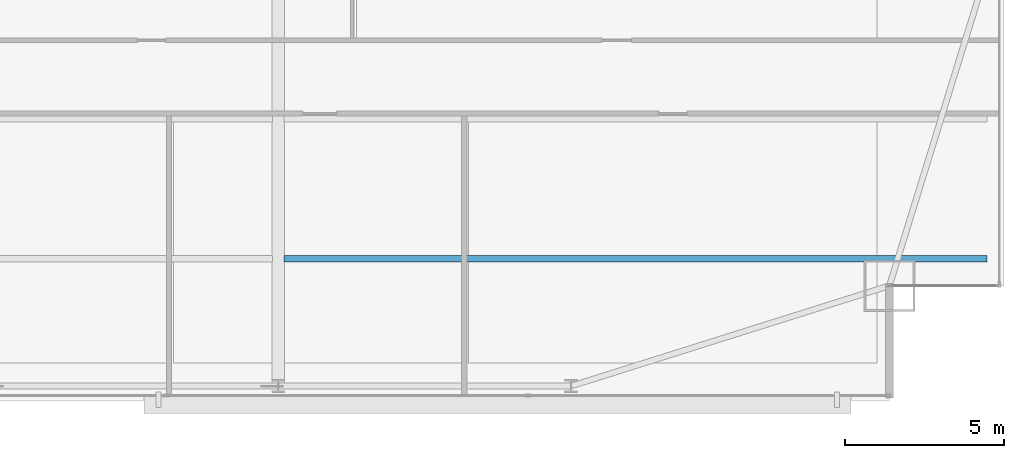
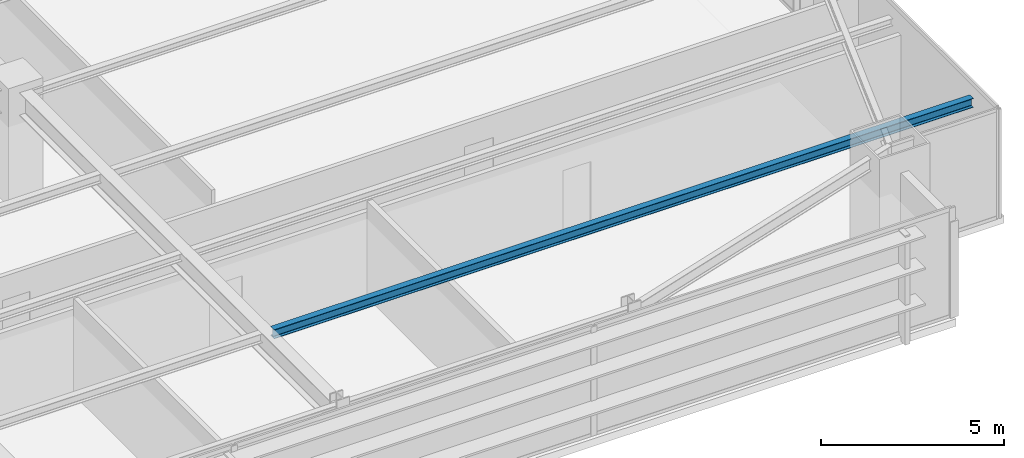
# One storey, part 15 of 32: 1 beam.
"""IFC4 building model written with IfcOpenShell, lengths in metres."""

from ifc_helpers import new_model, si_unit, direction, frame, origin, origin_2d, place, context, subcontext, project, spatial, i_section, extrude, source, transform, mapped, material, material_profile, profile_set, type_object, type_shapes, element, save


model = new_model("IFC4")

# Units and contexts
model_context = context("Model", 3, precision=1e-05, world=origin(), true_north=direction((0.0, 1.0)))
body_context = subcontext(model_context, "Body", "Model", "MODEL_VIEW")
ifc_project = project(units=[si_unit("LENGTHUNIT", "METRE"), si_unit("AREAUNIT", "SQUARE_METRE"), si_unit("VOLUMEUNIT", "CUBIC_METRE"), si_unit("PLANEANGLEUNIT", "RADIAN"), si_unit("MASSUNIT", "GRAM", prefix="KILO")], contexts=[model_context])

# Site, building, storey
site_placement = place(None, origin())
site = spatial("IfcSite", under=ifc_project, at=site_placement, CompositionType="ELEMENT")
building_placement = place(site_placement, origin())
building = spatial("IfcBuilding", under=site, at=building_placement, Name="Varnel Quay Broadcast Tower", CompositionType="ELEMENT")
storey_placement = place(building_placement, frame((0.0, 0.0, 54.89990234375)))
storey = spatial("IfcBuildingStorey", under=building, at=storey_placement, Name="L12", CompositionType="ELEMENT", Elevation=54.89990234375)

# Beam
ifc_material = material(Name="Structural Steel CSA G40.21 350W", Category="steel")
ifc_material_profile = material_profile(ifc_material, i_section(OverallWidth=0.202880859375, OverallDepth=0.302978515625, WebThickness=0.007568359375, FlangeThickness=0.01318359375, FilletRadius=0.011962890625, at=origin_2d()), Name="W310X60")
ifc_profile_set = profile_set([ifc_material_profile], Name="Structural Steel CSA G40.21 350W")
beam_type = type_object("IfcBeamType", Name="Beam_W310X60", PredefinedType="JOIST", material=ifc_profile_set)
shared_shape = source(origin(), body_context, "Body", "SweptSolid", [
    extrude(i_section(OverallWidth=0.202880859375, OverallDepth=0.302978515625, WebThickness=0.007568359375, FlangeThickness=0.01318359375, FilletRadius=0.011962890625, at=origin_2d()), origin(), (0.0, 0.0, 1.0), 22.0791015625),
])
type_shapes(beam_type, [shared_shape])
beam_placement = place(storey_placement, frame((43.385498046875, 5.64990234375, 3.49853515625), z_axis=(1.0, 0.0, 0.0), x_axis=(0.0, 1.0, 0.0)))
element("IfcBeam", 1, at=beam_placement, inside=storey, type_object=beam_type, Name="L12 East Floor Joist 1", PredefinedType="JOIST", context=body_context, shape_type="MappedRepresentation", body=[
    mapped(shared_shape, transform((0.0, 0.0, 0.0), x_axis=(1.0, 0.0, 0.0), y_axis=(0.0, 1.0, 0.0), z_axis=(0.0, 0.0, 1.0), scale=1.0)),
])

save(model, "model.ifc")
